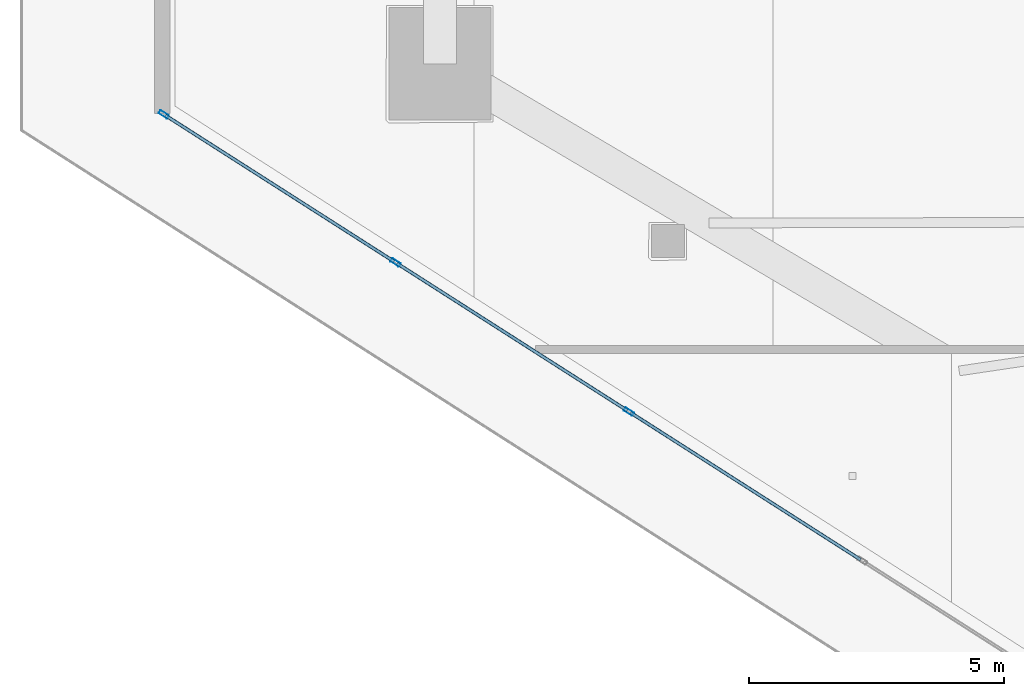
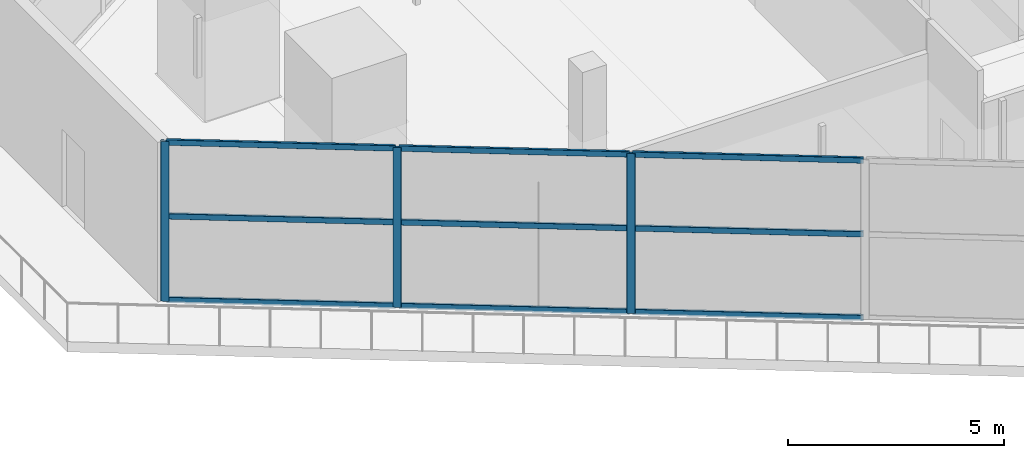
# One storey, part 3 of 42: 12 members, 1 element without a shape of its own.
"""IFC4 building model written with IfcOpenShell, lengths in metres."""

from ifc_helpers import new_model, si_unit, direction, frame, origin, origin_2d, place, context, subcontext, project, spatial, hollow_rectangle, extrude, material, layer, layer_set, material_profile, profile_set, type_object, element, aggregate, save


model = new_model("IFC4")

# Units and contexts
model_context = context("Model", 3, precision=1e-05, world=origin(), true_north=direction((0.0, 1.0)))
body_context = subcontext(model_context, "Body", "Model", "MODEL_VIEW")
ifc_project = project(units=[si_unit("LENGTHUNIT", "METRE"), si_unit("AREAUNIT", "SQUARE_METRE"), si_unit("VOLUMEUNIT", "CUBIC_METRE"), si_unit("PLANEANGLEUNIT", "RADIAN"), si_unit("MASSUNIT", "GRAM", prefix="KILO")], contexts=[model_context])

# Site, building, storey
site_placement = place(None, origin())
site = spatial("IfcSite", under=ifc_project, at=site_placement, CompositionType="ELEMENT")
building_placement = place(site_placement, origin())
building = spatial("IfcBuilding", under=site, at=building_placement, Name="Qorvath Tower", CompositionType="ELEMENT")
storey_placement = place(building_placement, frame((0.0, 0.0, 105.0)))
storey = spatial("IfcBuildingStorey", under=building, at=storey_placement, Name="L23", CompositionType="ELEMENT", Elevation=105.0)

# Curtain wall, members
ifc_material_1 = material(Name="Anodised aluminium and triple low-E glass", Category="aluminium")
ifc_layer = layer(ifc_material_1, 0.179931640625)
ifc_layer_set = layer_set([ifc_layer], Name="CW-SYS-5")
curtain_wall_type = type_object("IfcCurtainWallType", Name="CW-SYS-5", PredefinedType="NOTDEFINED", material=ifc_layer_set)
curtain_wall_placement = place(storey_placement, origin())
curtain_wall = element("IfcCurtainWall", 1, at=curtain_wall_placement, inside=storey, type_object=curtain_wall_type, Name="Curtain Wall CW-5 CW-T-L23-2.1", PredefinedType="NOTDEFINED")
ifc_material_2 = material(Name="Anodised aluminium 6063-T6", Category="aluminium")
ifc_material_profile_1 = material_profile(ifc_material_2, hollow_rectangle(XDim=0.074951171875, YDim=0.199951171875, WallThickness=0.00390625, InnerFilletRadius=0.00390625, OuterFilletRadius=0.008056640625, at=origin_2d()), Name="CWM 200x75")
ifc_profile_set_1 = profile_set([ifc_material_profile_1], Name="Anodised aluminium 6063-T6")
member_type_1 = type_object("IfcMemberType", Name="CWM-200", PredefinedType="MULLION", material=ifc_profile_set_1)
member_1_placement = place(storey_placement, frame((-58.460205078125, -3.941650390625, 0.0), z_axis=(0.0, 0.0, 1.0), x_axis=(0.538531788579, 0.842605193842, 0.0)))
member_1 = element("IfcMember", 2, at=member_1_placement, type_object=member_type_1, Name="CW-5 mullion 1", PredefinedType="MULLION", context=body_context, shape_type="SweptSolid", body=[
    extrude(hollow_rectangle(XDim=0.074951171875, YDim=0.199951171875, WallThickness=0.00390625, InnerFilletRadius=0.00390625, OuterFilletRadius=0.008056640625, at=origin_2d()), origin(), (0.0, 0.0, 1.0), 4.52001953125),
])
member_2_placement = place(storey_placement, frame((-53.917724609375, -6.8447265625, 0.0), z_axis=(0.0, 0.0, 1.0), x_axis=(0.538531788579, 0.842605193842, 0.0)))
member_2 = element("IfcMember", 3, at=member_2_placement, type_object=member_type_1, Name="CW-5 mullion 2", PredefinedType="MULLION", context=body_context, shape_type="SweptSolid", body=[
    extrude(hollow_rectangle(XDim=0.074951171875, YDim=0.199951171875, WallThickness=0.00390625, InnerFilletRadius=0.00390625, OuterFilletRadius=0.008056640625, at=origin_2d()), origin(), (0.0, 0.0, 1.0), 4.52001953125),
])
member_3_placement = place(storey_placement, frame((-49.34375, -9.76806640625, 0.0), z_axis=(0.0, 0.0, 1.0), x_axis=(0.538531788579, 0.842605193842, 0.0)))
member_3 = element("IfcMember", 4, at=member_3_placement, type_object=member_type_1, Name="CW-5 mullion 3", PredefinedType="MULLION", context=body_context, shape_type="SweptSolid", body=[
    extrude(hollow_rectangle(XDim=0.074951171875, YDim=0.199951171875, WallThickness=0.00390625, InnerFilletRadius=0.00390625, OuterFilletRadius=0.008056640625, at=origin_2d()), origin(), (0.0, 0.0, 1.0), 4.52001953125),
])
ifc_material_3 = material(Name="Anodised aluminium 6063-T6", Category="aluminium")
ifc_material_profile_2 = material_profile(ifc_material_3, hollow_rectangle(XDim=0.06494140625, YDim=0.159912109375, WallThickness=0.00341796875, InnerFilletRadius=0.00341796875, OuterFilletRadius=0.007080078125, at=origin_2d()), Name="CWT 160x65")
ifc_profile_set_2 = profile_set([ifc_material_profile_2], Name="Anodised aluminium 6063-T6")
member_type_2 = type_object("IfcMemberType", Name="CWT-160", PredefinedType="USERDEFINED", material=ifc_profile_set_2)
member_4_placement = place(storey_placement, frame((-58.428466796875, -3.961669921875, 0.032470703125), z_axis=(0.842585694948, -0.538562295997, 0.0), x_axis=(0.538562295997, 0.842585694948, 0.0)))
member_4 = element("IfcMember", 5, at=member_4_placement, type_object=member_type_2, Name="CW-5 transom 1.1", ObjectType="TRANSOM", PredefinedType="USERDEFINED", context=body_context, shape_type="SweptSolid", body=[
    extrude(hollow_rectangle(XDim=0.06494140625, YDim=0.159912109375, WallThickness=0.00341796875, InnerFilletRadius=0.00341796875, OuterFilletRadius=0.007080078125, at=origin_2d()), origin(), (0.0, 0.0, 1.0), 5.316162109375),
])
member_5_placement = place(storey_placement, frame((-58.428466796875, -3.961669921875, 2.39990234375), z_axis=(0.842585694948, -0.538562295997, 0.0), x_axis=(0.538562295997, 0.842585694948, 0.0)))
member_5 = element("IfcMember", 6, at=member_5_placement, type_object=member_type_2, Name="CW-5 transom 1.2", ObjectType="TRANSOM", PredefinedType="USERDEFINED", context=body_context, shape_type="SweptSolid", body=[
    extrude(hollow_rectangle(XDim=0.06494140625, YDim=0.159912109375, WallThickness=0.00341796875, InnerFilletRadius=0.00341796875, OuterFilletRadius=0.007080078125, at=origin_2d()), origin(), (0.0, 0.0, 1.0), 5.316162109375),
])
member_6_placement = place(storey_placement, frame((-58.428466796875, -3.961669921875, 4.487548828125), z_axis=(0.842585694948, -0.538562295997, 0.0), x_axis=(0.538562295997, 0.842585694948, 0.0)))
member_6 = element("IfcMember", 7, at=member_6_placement, type_object=member_type_2, Name="CW-5 transom 1.3", ObjectType="TRANSOM", PredefinedType="USERDEFINED", context=body_context, shape_type="SweptSolid", body=[
    extrude(hollow_rectangle(XDim=0.06494140625, YDim=0.159912109375, WallThickness=0.00341796875, InnerFilletRadius=0.00341796875, OuterFilletRadius=0.007080078125, at=origin_2d()), origin(), (0.0, 0.0, 1.0), 5.316162109375),
])
member_7_placement = place(storey_placement, frame((-53.885986328125, -6.864990234375, 0.032470703125), z_axis=(0.842595089647, -0.538547597621, 0.0), x_axis=(0.538547597621, 0.842595089647, 0.0)))
member_7 = element("IfcMember", 8, at=member_7_placement, type_object=member_type_2, Name="CW-5 transom 2.1", ObjectType="TRANSOM", PredefinedType="USERDEFINED", context=body_context, shape_type="SweptSolid", body=[
    extrude(hollow_rectangle(XDim=0.06494140625, YDim=0.159912109375, WallThickness=0.00341796875, InnerFilletRadius=0.00341796875, OuterFilletRadius=0.007080078125, at=origin_2d()), origin(), (0.0, 0.0, 1.0), 5.353271484375),
])
member_8_placement = place(storey_placement, frame((-53.885986328125, -6.864990234375, 2.39990234375), z_axis=(0.842595089647, -0.538547597621, 0.0), x_axis=(0.538547597621, 0.842595089647, 0.0)))
member_8 = element("IfcMember", 9, at=member_8_placement, type_object=member_type_2, Name="CW-5 transom 2.2", ObjectType="TRANSOM", PredefinedType="USERDEFINED", context=body_context, shape_type="SweptSolid", body=[
    extrude(hollow_rectangle(XDim=0.06494140625, YDim=0.159912109375, WallThickness=0.00341796875, InnerFilletRadius=0.00341796875, OuterFilletRadius=0.007080078125, at=origin_2d()), origin(), (0.0, 0.0, 1.0), 5.353271484375),
])
member_9_placement = place(storey_placement, frame((-53.885986328125, -6.864990234375, 4.487548828125), z_axis=(0.842595089647, -0.538547597621, 0.0), x_axis=(0.538547597621, 0.842595089647, 0.0)))
member_9 = element("IfcMember", 10, at=member_9_placement, type_object=member_type_2, Name="CW-5 transom 2.3", ObjectType="TRANSOM", PredefinedType="USERDEFINED", context=body_context, shape_type="SweptSolid", body=[
    extrude(hollow_rectangle(XDim=0.06494140625, YDim=0.159912109375, WallThickness=0.00341796875, InnerFilletRadius=0.00341796875, OuterFilletRadius=0.007080078125, at=origin_2d()), origin(), (0.0, 0.0, 1.0), 5.353271484375),
])
member_10_placement = place(storey_placement, frame((-49.31201171875, -9.788330078125, 0.032470703125), z_axis=(0.842595089647, -0.538547597621, 0.0), x_axis=(0.538547597621, 0.842595089647, 0.0)))
member_10 = element("IfcMember", 11, at=member_10_placement, type_object=member_type_2, Name="CW-5 transom 3.1", ObjectType="TRANSOM", PredefinedType="USERDEFINED", context=body_context, shape_type="SweptSolid", body=[
    extrude(hollow_rectangle(XDim=0.06494140625, YDim=0.159912109375, WallThickness=0.00341796875, InnerFilletRadius=0.00341796875, OuterFilletRadius=0.007080078125, at=origin_2d()), origin(), (0.0, 0.0, 1.0), 5.353271484375),
])
member_11_placement = place(storey_placement, frame((-49.31201171875, -9.788330078125, 2.39990234375), z_axis=(0.842595089647, -0.538547597621, 0.0), x_axis=(0.538547597621, 0.842595089647, 0.0)))
member_11 = element("IfcMember", 12, at=member_11_placement, type_object=member_type_2, Name="CW-5 transom 3.2", ObjectType="TRANSOM", PredefinedType="USERDEFINED", context=body_context, shape_type="SweptSolid", body=[
    extrude(hollow_rectangle(XDim=0.06494140625, YDim=0.159912109375, WallThickness=0.00341796875, InnerFilletRadius=0.00341796875, OuterFilletRadius=0.007080078125, at=origin_2d()), origin(), (0.0, 0.0, 1.0), 5.353271484375),
])
member_12_placement = place(storey_placement, frame((-49.31201171875, -9.788330078125, 4.487548828125), z_axis=(0.842595089647, -0.538547597621, 0.0), x_axis=(0.538547597621, 0.842595089647, 0.0)))
member_12 = element("IfcMember", 13, at=member_12_placement, type_object=member_type_2, Name="CW-5 transom 3.3", ObjectType="TRANSOM", PredefinedType="USERDEFINED", context=body_context, shape_type="SweptSolid", body=[
    extrude(hollow_rectangle(XDim=0.06494140625, YDim=0.159912109375, WallThickness=0.00341796875, InnerFilletRadius=0.00341796875, OuterFilletRadius=0.007080078125, at=origin_2d()), origin(), (0.0, 0.0, 1.0), 5.353271484375),
])
aggregate(curtain_wall, [member_1, member_2, member_3, member_4, member_5, member_6, member_7, member_8, member_9, member_10, member_11, member_12])

save(model, "model.ifc")
